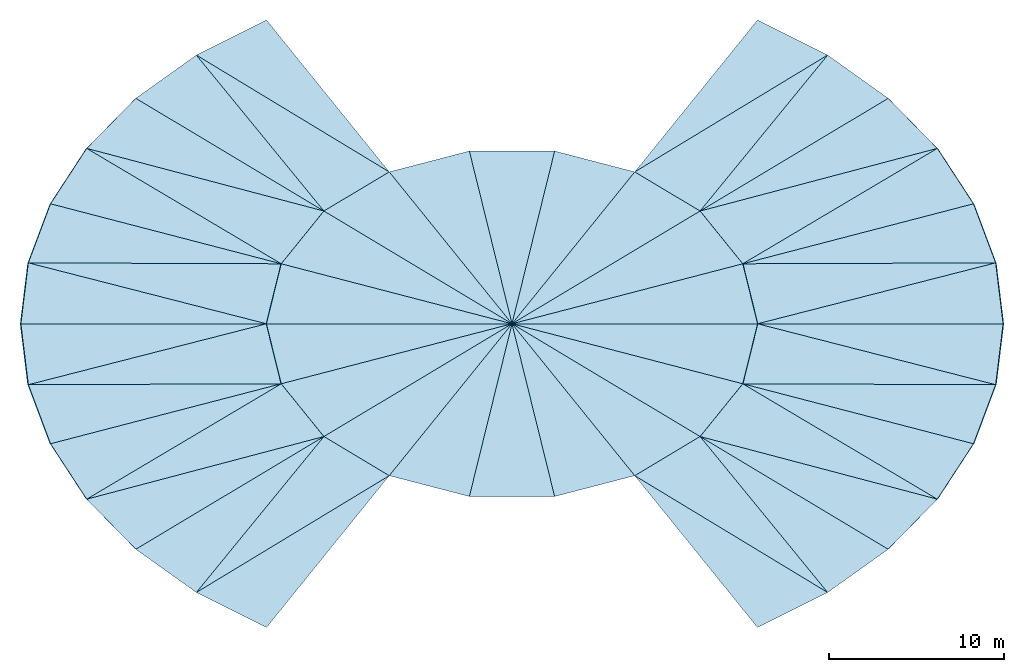
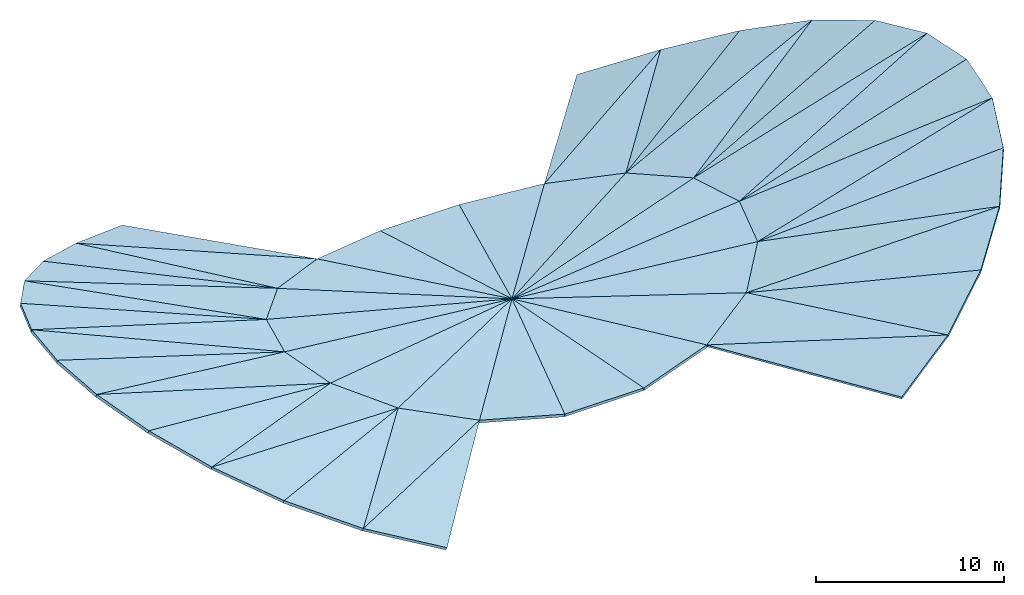
# One storey: 54 slabs.
"""IFC4 building model written with IfcOpenShell, lengths in metres."""

from ifc_helpers import new_model, si_unit, direction, frame, origin, place, context, subcontext, project, spatial, polyline, outline, extrude, material, layer, layer_set, type_object, element, save


model = new_model("IFC4")

# Units and contexts
model_context = context("Model", 3, precision=1e-05, world=origin(), true_north=direction((0.0, 1.0)))
body_context = subcontext(model_context, "Body", "Model", "MODEL_VIEW")
ifc_project = project(units=[si_unit("LENGTHUNIT", "METRE"), si_unit("AREAUNIT", "SQUARE_METRE"), si_unit("VOLUMEUNIT", "CUBIC_METRE"), si_unit("PLANEANGLEUNIT", "RADIAN"), si_unit("MASSUNIT", "GRAM", prefix="KILO")], contexts=[model_context])

# Site, building, storey
site_placement = place(None, origin())
site = spatial("IfcSite", under=ifc_project, at=site_placement, CompositionType="ELEMENT")
building_placement = place(site_placement, origin())
building = spatial("IfcBuilding", under=site, at=building_placement, Name="Tarnveldt Headland Concert Hall", CompositionType="ELEMENT")
storey_placement = place(building_placement, frame((0.0, 0.0, 29.0)))
storey = spatial("IfcBuildingStorey", under=building, at=storey_placement, Name="ROOF", CompositionType="ELEMENT", Elevation=29.0)

# Slabs
ifc_material = material(Name="Concrete C40/50", Category="concrete")
ifc_layer_1 = layer(ifc_material, 0.1650390625, Name="Concrete C40/50", Category="concrete")
ifc_layer_set_1 = layer_set([ifc_layer_1], Name="Concrete C40/50")
slab_type_1 = type_object("IfcSlabType", Name="SL-RF165", PredefinedType="ROOF", material=ifc_layer_set_1)
slab_1_placement = place(storey_placement, frame((97.5, 54.5, 2.25), z_axis=(-0.296528164544, 0.036611321852, 0.954322093816), x_axis=(0.954962318865, 0.0, 0.296727096079)))
element("IfcSlab", 1, at=slab_1_placement, inside=storey, type_object=slab_type_1, Name="Symphony saddle roof outer facet 1", PredefinedType="ROOF", context=body_context, shape_type="SweptSolid", body=[
    extrude(outline(polyline([(0.0, 0.0), (14.660264309312836, 0.0), (14.175379857920978, 3.475230251622545), (0.0, 0.0)])), origin(), (0.0, 0.0, -1.0), 0.1650390625),
])
slab_2_placement = place(storey_placement, frame((96.65576171875, 57.920166015625, 1.99267578125), z_axis=(-0.287011416901, 0.108301590104, 0.951785276283), x_axis=(0.957520925799, 0.003501939045, 0.288342527351)))
element("IfcSlab", 2, at=slab_2_placement, inside=storey, type_object=slab_type_1, Name="Symphony saddle roof outer facet 3", PredefinedType="ROOF", context=body_context, shape_type="SweptSolid", body=[
    extrude(outline(polyline([(0.0, 0.0), (15.058621617549933, 0.0), (13.64031579323876, 3.392373037770957), (0.0, 0.0)])), origin(), (0.0, 0.0, -1.0), 0.1650390625),
])
slab_3_placement = place(storey_placement, frame((96.65576171875, 57.920166015625, 1.99267578125), z_axis=(-0.227335045407, 0.027135138248, 0.973438473352), x_axis=(0.845480827313, 0.501497761228, 0.183472521454)))
element("IfcSlab", 3, at=slab_3_placement, inside=storey, type_object=slab_type_1, Name="Symphony saddle roof outer facet 5", PredefinedType="ROOF", context=body_context, shape_type="SweptSolid", body=[
    extrude(outline(polyline([(0.0, 0.0), (13.120365618904529, -1.6653345369377348e-16), (-0.6666342333537273, 3.8649235277737493), (0.0, 0.0)])), origin(), (0.0, 0.0, -1.0), 0.1650390625),
])
slab_4_placement = place(storey_placement, frame((94.224609375, 60.927978515625, 1.341064453125), z_axis=(-0.267446280978, 0.208698066509, 0.94070059202), x_axis=(0.850604328501, 0.50980492535, 0.128729229099)))
element("IfcSlab", 4, at=slab_4_placement, inside=storey, type_object=slab_type_1, Name="Symphony saddle roof outer facet 7", PredefinedType="ROOF", context=body_context, shape_type="SweptSolid", body=[
    extrude(outline(polyline([(0.0, 0.0), (12.60822337208307, 1.1102230246251565e-16), (10.732647517258135, 4.099326483600311), (0.0, 0.0)])), origin(), (0.0, 0.0, -1.0), 0.1650390625),
])
slab_5_placement = place(storey_placement, frame((90.5, 63.160400390625, 0.60009765625), z_axis=(-0.218462079595, 0.242089244712, 0.945339683592), x_axis=(0.853570897735, 0.516921232044, 0.064878057935)))
element("IfcSlab", 5, at=slab_5_placement, inside=storey, type_object=slab_type_1, Name="Symphony saddle roof outer facet 9", PredefinedType="ROOF", context=body_context, shape_type="SweptSolid", body=[
    extrude(outline(polyline([(0.0, 0.0), (12.884749121812238, -1.2212453270876722e-15), (10.412681752082252, 3.9918018740042873), (0.0, 0.0)])), origin(), (0.0, 0.0, -1.0), 0.1650390625),
])
slab_6_placement = place(storey_placement, frame((76.5, 63.160400390625, 0.60009765625), z_axis=(0.218462079595, 0.242089244712, 0.945339683592), x_axis=(-0.627712007216, 0.776583437499, -0.053812643476)))
element("IfcSlab", 6, at=slab_6_placement, inside=storey, type_object=slab_type_1, Name="Symphony saddle roof outer facet 19", PredefinedType="ROOF", context=body_context, shape_type="SweptSolid", body=[
    extrude(outline(polyline([(0.0, 0.0), (11.151610801648827, 1.609823385706477e-15), (12.030978703185646, 4.612191602214138), (0.0, 0.0)])), origin(), (0.0, 0.0, -1.0), 0.1650390625),
])
slab_7_placement = place(storey_placement, frame((72.775390625, 60.927978515625, 1.341064453125), z_axis=(0.267446280978, 0.208698066509, 0.94070059202), x_axis=(-0.63308538338, 0.774037831956, 0.008266320292)))
element("IfcSlab", 7, at=slab_7_placement, inside=storey, type_object=slab_type_1, Name="Symphony saddle roof outer facet 21", PredefinedType="ROOF", context=body_context, shape_type="SweptSolid", body=[
    extrude(outline(polyline([(0.0, 0.0), (11.488872892884403, 5.967448757360216e-16), (11.778319643107297, 4.49872014967975), (0.0, 0.0)])), origin(), (0.0, 0.0, -1.0), 0.1650390625),
])
slab_8_placement = place(storey_placement, frame((72.775390625, 60.927978515625, 1.341064453125), z_axis=(0.227335045407, 0.027135138248, 0.973438473352), x_axis=(-0.94452523295, 0.24946924241, 0.213628606258)))
element("IfcSlab", 8, at=slab_8_placement, inside=storey, type_object=slab_type_1, Name="Symphony saddle roof outer facet 23", PredefinedType="ROOF", context=body_context, shape_type="SweptSolid", body=[
    extrude(outline(polyline([(0.0, 0.0), (14.318484514839838, 2.7755575615628914e-16), (1.6851308479811633, 3.5415207329338734), (0.0, 0.0)])), origin(), (0.0, 0.0, -1.0), 0.1650390625),
])
slab_9_placement = place(storey_placement, frame((70.34423828125, 57.920166015625, 1.99267578125), z_axis=(0.287011416901, 0.108301590104, 0.951785276283), x_axis=(-0.93594727746, 0.243327185858, 0.254547784192)))
element("IfcSlab", 9, at=slab_9_placement, inside=storey, type_object=slab_type_1, Name="Symphony saddle roof outer facet 25", PredefinedType="ROOF", context=body_context, shape_type="SweptSolid", body=[
    extrude(outline(polyline([(0.0, 0.0), (14.05583187743344, -6.661338147750939e-16), (14.613461235549385, 3.6343961998711074), (0.0, 0.0)])), origin(), (0.0, 0.0, -1.0), 0.1650390625),
])
slab_10_placement = place(storey_placement, frame((69.5, 54.5, 2.25), z_axis=(0.296528164544, 0.036611321852, 0.954322093816), x_axis=(-0.93008294894, 0.237948813868, 0.27986795113)))
element("IfcSlab", 10, at=slab_10_placement, inside=storey, type_object=slab_type_1, Name="Symphony saddle roof outer facet 27", PredefinedType="ROOF", context=body_context, shape_type="SweptSolid", body=[
    extrude(outline(polyline([(0.0, 0.0), (14.595157396141511, 1.6653345369377348e-16), (14.238614203432332, 3.4907327575634928), (0.0, 0.0)])), origin(), (0.0, 0.0, -1.0), 0.1650390625),
])
slab_11_placement = place(storey_placement, frame((69.5, 54.5, 2.25), z_axis=(0.288347090282, -0.00086570822, 0.957525564189), x_axis=(-0.93008294894, -0.237948813868, 0.27986795113)))
element("IfcSlab", 11, at=slab_11_placement, inside=storey, type_object=slab_type_1, Name="Symphony saddle roof outer facet 29", PredefinedType="ROOF", context=body_context, shape_type="SweptSolid", body=[
    extrude(outline(polyline([(0.0, 0.0), (14.595157396141511, -4.996003610813204e-16), (-0.043403985462103556, 3.5319407834171637), (0.0, 0.0)])), origin(), (0.0, 0.0, -1.0), 0.1650390625),
])
slab_12_placement = place(storey_placement, frame((70.34423828125, 51.079833984375, 1.99267578125), z_axis=(0.296672556657, -0.155444795433, 0.942243232769), x_axis=(-0.93594727746, -0.243327185858, 0.254547784192)))
element("IfcSlab", 12, at=slab_12_placement, inside=storey, type_object=slab_type_1, Name="Symphony saddle roof outer facet 31", PredefinedType="ROOF", context=body_context, shape_type="SweptSolid", body=[
    extrude(outline(polyline([(0.0, 0.0), (14.05583187743344, 2.220446049250313e-16), (12.59628627542775, 3.6711804697130463), (0.0, 0.0)])), origin(), (0.0, 0.0, -1.0), 0.1650390625),
])
slab_13_placement = place(storey_placement, frame((72.775390625, 48.072021484375, 1.341064453125), z_axis=(0.268101172829, -0.209905692839, 0.94024537289), x_axis=(-0.94452523295, -0.24946924241, 0.213628606258)))
element("IfcSlab", 13, at=slab_13_placement, inside=storey, type_object=slab_type_1, Name="Symphony saddle roof outer facet 33", PredefinedType="ROOF", context=body_context, shape_type="SweptSolid", body=[
    extrude(outline(polyline([(0.0, 0.0), (14.318484514839838, -1.1102230246251565e-16), (12.079915434963516, 3.611501029277438), (0.0, 0.0)])), origin(), (0.0, 0.0, -1.0), 0.1650390625),
])
slab_14_placement = place(storey_placement, frame((72.775390625, 48.072021484375, 1.341064453125), z_axis=(0.135809097304, -0.100552334273, 0.985619154218), x_axis=(-0.63308538338, -0.774037831956, 0.008266320292)))
element("IfcSlab", 14, at=slab_14_placement, inside=storey, type_object=slab_type_1, Name="Symphony saddle roof outer facet 35", PredefinedType="ROOF", context=body_context, shape_type="SweptSolid", body=[
    extrude(outline(polyline([(0.0, 0.0), (11.488872892884403, -6.904199434387692e-16), (-0.6361418348466782, 4.358988160610845), (0.0, 0.0)])), origin(), (0.0, 0.0, -1.0), 0.1650390625),
])
slab_15_placement = place(storey_placement, frame((90.5, 45.839599609375, 0.60009765625), z_axis=(-0.135809097304, -0.100552334273, 0.985619154218), x_axis=(0.853570897735, -0.516921232044, 0.064878057935)))
element("IfcSlab", 15, at=slab_15_placement, inside=storey, type_object=slab_type_1, Name="Symphony saddle roof outer facet 47", PredefinedType="ROOF", context=body_context, shape_type="SweptSolid", body=[
    extrude(outline(polyline([(0.0, 0.0), (12.884749121812238, 1.5265566588595902e-15), (2.0733043886406723, 3.886754832817596), (0.0, 0.0)])), origin(), (0.0, 0.0, -1.0), 0.1650390625),
])
slab_16_placement = place(storey_placement, frame((94.224609375, 48.072021484375, 1.341064453125), z_axis=(-0.268101172829, -0.209905692839, 0.94024537289), x_axis=(0.850604328501, -0.50980492535, 0.128729229099)))
element("IfcSlab", 16, at=slab_16_placement, inside=storey, type_object=slab_type_1, Name="Symphony saddle roof outer facet 49", PredefinedType="ROOF", context=body_context, shape_type="SweptSolid", body=[
    extrude(outline(polyline([(0.0, 0.0), (12.60822337208307, -7.771561172376096e-16), (13.71851346471848, 4.101388438083616), (0.0, 0.0)])), origin(), (0.0, 0.0, -1.0), 0.1650390625),
])
slab_17_placement = place(storey_placement, frame((96.65576171875, 51.079833984375, 1.99267578125), z_axis=(-0.296672556657, -0.155444795433, 0.942243232769), x_axis=(0.845480827313, -0.501497761228, 0.183472521454)))
element("IfcSlab", 17, at=slab_17_placement, inside=storey, type_object=slab_type_1, Name="Symphony saddle roof outer facet 51", PredefinedType="ROOF", context=body_context, shape_type="SweptSolid", body=[
    extrude(outline(polyline([(0.0, 0.0), (13.120365618904529, -4.440892098500626e-16), (13.494386308284708, 3.9329312134147756), (0.0, 0.0)])), origin(), (0.0, 0.0, -1.0), 0.1650390625),
])
slab_18_placement = place(storey_placement, frame((96.65576171875, 51.079833984375, 1.99267578125), z_axis=(-0.288347090282, -0.00086570822, 0.957525564189), x_axis=(0.957520925799, -0.003501939045, 0.288342527351)))
element("IfcSlab", 18, at=slab_18_placement, inside=storey, type_object=slab_type_1, Name="Symphony saddle roof outer facet 53", PredefinedType="ROOF", context=body_context, shape_type="SweptSolid", body=[
    extrude(outline(polyline([(0.0, 0.0), (15.058621617549933, -1.734723475976807e-18), (0.8705961233317516, 3.4232370635933425), (0.0, 0.0)])), origin(), (0.0, 0.0, -1.0), 0.1650390625),
])
ifc_layer_2 = layer(ifc_material, 0.175048828125, Name="Concrete C40/50", Category="concrete")
ifc_layer_set_2 = layer_set([ifc_layer_2], Name="Concrete C40/50")
slab_type_2 = type_object("IfcSlabType", Name="SL-RF175", PredefinedType="ROOF", material=ifc_layer_set_2)
slab_19_placement = place(storey_placement, frame((83.5, 54.5, 0.800048828125), z_axis=(-0.119742566235, 0.116801788589, 0.985910269758), x_axis=(0.964124686773, 0.250648085532, 0.087402091357)))
element("IfcSlab", 19, at=slab_19_placement, inside=storey, type_object=slab_type_2, Name="Symphony saddle roof inner facet 2", PredefinedType="ROOF", context=body_context, shape_type="SweptSolid", body=[
    extrude(outline(polyline([(0.0, 0.0), (13.645290800282872, -2.7755575615628914e-17), (11.998307060302697, 3.559421250267958), (0.0, 0.0)])), origin(), (0.0, 0.0, -1.0), 0.175048828125),
])
slab_20_placement = place(storey_placement, frame((83.5, 54.5, 0.800048828125), z_axis=(-0.081952429878, 0.089158300838, 0.992640215097), x_axis=(0.6285108188, 0.777593620092, -0.017953067822)))
element("IfcSlab", 20, at=slab_20_placement, inside=storey, type_object=slab_type_2, Name="Symphony saddle roof inner facet 4", PredefinedType="ROOF", context=body_context, shape_type="SweptSolid", body=[
    extrude(outline(polyline([(0.0, 0.0), (11.137437559738409, 1.7520707107365752e-15), (9.198136895469887, 4.3310927419948495), (0.0, 0.0)])), origin(), (0.0, 0.0, -1.0), 0.175048828125),
])
slab_21_placement = place(storey_placement, frame((83.5, 54.5, 0.800048828125), z_axis=(0.081952429878, 0.089158300838, 0.992640215097), x_axis=(-0.239126296751, 0.968656011081, -0.067261775176)))
element("IfcSlab", 21, at=slab_21_placement, inside=storey, type_object=slab_type_2, Name="Symphony saddle roof inner facet 6", PredefinedType="ROOF", context=body_context, shape_type="SweptSolid", body=[
    extrude(outline(polyline([(0.0, 0.0), (10.166813005439062, 5.551115123125783e-17), (10.076282044768252, 4.74458170457131), (0.0, 0.0)])), origin(), (0.0, 0.0, -1.0), 0.175048828125),
])
slab_22_placement = place(storey_placement, frame((83.5, 54.5, 0.800048828125), z_axis=(0.119742566235, 0.116801788589, 0.985910269758), x_axis=(-0.856930499637, 0.513615988093, 0.04322887423)))
element("IfcSlab", 22, at=slab_22_placement, inside=storey, type_object=slab_type_2, Name="Symphony saddle roof inner facet 8", PredefinedType="ROOF", context=body_context, shape_type="SweptSolid", body=[
    extrude(outline(polyline([(0.0, 0.0), (12.515144903282927, -2.220446049250313e-16), (13.081781330871436, 3.8808450414243443), (0.0, 0.0)])), origin(), (0.0, 0.0, -1.0), 0.175048828125),
])
slab_23_placement = place(storey_placement, frame((83.5, 54.5, 0.800048828125), z_axis=(0.1028914071, -0.049348026391, 0.993467730043), x_axis=(-0.994679603956, 0.0, 0.103016918385)))
element("IfcSlab", 23, at=slab_23_placement, inside=storey, type_object=slab_type_2, Name="Symphony saddle roof inner facet 10", PredefinedType="ROOF", context=body_context, shape_type="SweptSolid", body=[
    extrude(outline(polyline([(0.0, 0.0), (14.07488395692205, 0.0), (13.20862860964211, 3.4243380786406514), (0.0, 0.0)])), origin(), (0.0, 0.0, -1.0), 0.175048828125),
])
slab_24_placement = place(storey_placement, frame((83.5, 54.5, 0.800048828125), z_axis=(0.122809400349, -0.122003391632, 0.984902545238), x_axis=(-0.856930499637, -0.513615988093, 0.04322887423)))
element("IfcSlab", 24, at=slab_24_placement, inside=storey, type_object=slab_type_2, Name="Symphony saddle roof inner facet 12", PredefinedType="ROOF", context=body_context, shape_type="SweptSolid", body=[
    extrude(outline(polyline([(0.0, 0.0), (12.515144903282927, 2.636779683484747e-16), (10.437989937308618, 3.8846983751271953), (0.0, 0.0)])), origin(), (0.0, 0.0, -1.0), 0.175048828125),
])
slab_25_placement = place(storey_placement, frame((83.5, 54.5, 0.800048828125), z_axis=(0.0, -0.069271445608, 0.997597848245), x_axis=(-0.239126296751, -0.968656011081, -0.067261775176)))
element("IfcSlab", 25, at=slab_25_placement, inside=storey, type_object=slab_type_2, Name="Symphony saddle roof inner facet 14", PredefinedType="ROOF", context=body_context, shape_type="SweptSolid", body=[
    extrude(outline(polyline([(0.0, 0.0), (10.166813005439062, -1.249000902703301e-16), (9.00410809184242, 4.721241802532751), (0.0, 0.0)])), origin(), (0.0, 0.0, -1.0), 0.175048828125),
])
slab_26_placement = place(storey_placement, frame((83.5, 54.5, 0.800048828125), z_axis=(-0.122809400349, -0.122003391632, 0.984902545238), x_axis=(0.6285108188, -0.777593620092, -0.017953067822)))
element("IfcSlab", 26, at=slab_26_placement, inside=storey, type_object=slab_type_2, Name="Symphony saddle roof inner facet 16", PredefinedType="ROOF", context=body_context, shape_type="SweptSolid", body=[
    extrude(outline(polyline([(0.0, 0.0), (11.137437559738409, -1.2212453270876722e-15), (11.72917521321616, 4.365237767618647), (0.0, 0.0)])), origin(), (0.0, 0.0, -1.0), 0.175048828125),
])
slab_27_placement = place(storey_placement, frame((83.5, 54.5, 0.800048828125), z_axis=(-0.1028914071, -0.049348026391, 0.993467730043), x_axis=(0.964124686773, -0.250648085532, 0.087402091357)))
element("IfcSlab", 27, at=slab_27_placement, inside=storey, type_object=slab_type_2, Name="Symphony saddle roof inner facet 18", PredefinedType="ROOF", context=body_context, shape_type="SweptSolid", body=[
    extrude(outline(polyline([(0.0, 0.0), (13.645290800282872, 8.604228440844963e-16), (13.624474379610827, 3.5321461295011347), (0.0, 0.0)])), origin(), (0.0, 0.0, -1.0), 0.175048828125),
])
slab_28_placement = place(storey_placement, frame((97.5, 54.5, 2.25), z_axis=(-0.288347090282, 0.00086570822, 0.957525564189), x_axis=(0.93008294894, 0.237948813868, 0.27986795113)))
element("IfcSlab", 28, at=slab_28_placement, inside=storey, type_object=slab_type_2, Name="Symphony saddle roof outer facet 2", PredefinedType="ROOF", context=body_context, shape_type="SweptSolid", body=[
    extrude(outline(polyline([(0.0, 0.0), (14.595157396141511, -4.996003610813204e-16), (-0.043403985462103556, 3.5319407834171637), (0.0, 0.0)])), origin(), (0.0, 0.0, -1.0), 0.175048828125),
])
slab_29_placement = place(storey_placement, frame((96.65576171875, 57.920166015625, 1.99267578125), z_axis=(-0.296672556657, 0.155444795433, 0.942243232769), x_axis=(0.93594727746, 0.243327185858, 0.254547784192)))
element("IfcSlab", 29, at=slab_29_placement, inside=storey, type_object=slab_type_2, Name="Symphony saddle roof outer facet 4", PredefinedType="ROOF", context=body_context, shape_type="SweptSolid", body=[
    extrude(outline(polyline([(0.0, 0.0), (14.05583187743344, 2.220446049250313e-16), (12.59628627542775, 3.6711804697130463), (0.0, 0.0)])), origin(), (0.0, 0.0, -1.0), 0.175048828125),
])
slab_30_placement = place(storey_placement, frame((94.224609375, 60.927978515625, 1.341064453125), z_axis=(-0.268101172829, 0.209905692839, 0.94024537289), x_axis=(0.94452523295, 0.24946924241, 0.213628606258)))
element("IfcSlab", 30, at=slab_30_placement, inside=storey, type_object=slab_type_2, Name="Symphony saddle roof outer facet 6", PredefinedType="ROOF", context=body_context, shape_type="SweptSolid", body=[
    extrude(outline(polyline([(0.0, 0.0), (14.318484514839838, -1.1102230246251565e-16), (12.079915434963516, 3.611501029277438), (0.0, 0.0)])), origin(), (0.0, 0.0, -1.0), 0.175048828125),
])
slab_31_placement = place(storey_placement, frame((94.224609375, 60.927978515625, 1.341064453125), z_axis=(-0.135809097304, 0.100552334273, 0.985619154218), x_axis=(0.63308538338, 0.774037831956, 0.008266320292)))
element("IfcSlab", 31, at=slab_31_placement, inside=storey, type_object=slab_type_2, Name="Symphony saddle roof outer facet 8", PredefinedType="ROOF", context=body_context, shape_type="SweptSolid", body=[
    extrude(outline(polyline([(0.0, 0.0), (11.488872892884403, -6.904199434387692e-16), (-0.6361418348466782, 4.358988160610845), (0.0, 0.0)])), origin(), (0.0, 0.0, -1.0), 0.175048828125),
])
slab_32_placement = place(storey_placement, frame((76.5, 63.160400390625, 0.60009765625), z_axis=(0.135809097304, 0.100552334273, 0.985619154218), x_axis=(-0.853570897735, 0.516921232044, 0.064878057935)))
element("IfcSlab", 32, at=slab_32_placement, inside=storey, type_object=slab_type_2, Name="Symphony saddle roof outer facet 20", PredefinedType="ROOF", context=body_context, shape_type="SweptSolid", body=[
    extrude(outline(polyline([(0.0, 0.0), (12.884749121812238, 1.5265566588595902e-15), (2.0733043886406723, 3.886754832817596), (0.0, 0.0)])), origin(), (0.0, 0.0, -1.0), 0.175048828125),
])
slab_33_placement = place(storey_placement, frame((72.775390625, 60.927978515625, 1.341064453125), z_axis=(0.268101172829, 0.209905692839, 0.94024537289), x_axis=(-0.850604328501, 0.50980492535, 0.128729229099)))
element("IfcSlab", 33, at=slab_33_placement, inside=storey, type_object=slab_type_2, Name="Symphony saddle roof outer facet 22", PredefinedType="ROOF", context=body_context, shape_type="SweptSolid", body=[
    extrude(outline(polyline([(0.0, 0.0), (12.60822337208307, -7.771561172376096e-16), (13.71851346471848, 4.101388438083616), (0.0, 0.0)])), origin(), (0.0, 0.0, -1.0), 0.175048828125),
])
slab_34_placement = place(storey_placement, frame((70.34423828125, 57.920166015625, 1.99267578125), z_axis=(0.296672556657, 0.155444795433, 0.942243232769), x_axis=(-0.845480827313, 0.501497761228, 0.183472521454)))
element("IfcSlab", 34, at=slab_34_placement, inside=storey, type_object=slab_type_2, Name="Symphony saddle roof outer facet 24", PredefinedType="ROOF", context=body_context, shape_type="SweptSolid", body=[
    extrude(outline(polyline([(0.0, 0.0), (13.120365618904529, -4.440892098500626e-16), (13.494386308284708, 3.9329312134147756), (0.0, 0.0)])), origin(), (0.0, 0.0, -1.0), 0.175048828125),
])
slab_35_placement = place(storey_placement, frame((70.34423828125, 57.920166015625, 1.99267578125), z_axis=(0.288347090282, 0.00086570822, 0.957525564189), x_axis=(-0.957520925799, 0.003501939045, 0.288342527351)))
element("IfcSlab", 35, at=slab_35_placement, inside=storey, type_object=slab_type_2, Name="Symphony saddle roof outer facet 26", PredefinedType="ROOF", context=body_context, shape_type="SweptSolid", body=[
    extrude(outline(polyline([(0.0, 0.0), (15.058621617549933, -1.734723475976807e-18), (0.8705961233317516, 3.4232370635933425), (0.0, 0.0)])), origin(), (0.0, 0.0, -1.0), 0.175048828125),
])
slab_36_placement = place(storey_placement, frame((69.5, 54.5, 2.25), z_axis=(0.296528164544, -0.036611321852, 0.954322093816), x_axis=(-0.954962318865, 0.0, 0.296727096079)))
element("IfcSlab", 36, at=slab_36_placement, inside=storey, type_object=slab_type_2, Name="Symphony saddle roof outer facet 28", PredefinedType="ROOF", context=body_context, shape_type="SweptSolid", body=[
    extrude(outline(polyline([(0.0, 0.0), (14.660264309312836, 0.0), (14.175379857920978, 3.475230251622545), (0.0, 0.0)])), origin(), (0.0, 0.0, -1.0), 0.175048828125),
])
slab_37_placement = place(storey_placement, frame((70.34423828125, 51.079833984375, 1.99267578125), z_axis=(0.287011416901, -0.108301590104, 0.951785276283), x_axis=(-0.957520925799, -0.003501939045, 0.288342527351)))
element("IfcSlab", 37, at=slab_37_placement, inside=storey, type_object=slab_type_2, Name="Symphony saddle roof outer facet 30", PredefinedType="ROOF", context=body_context, shape_type="SweptSolid", body=[
    extrude(outline(polyline([(0.0, 0.0), (15.058621617549933, 0.0), (13.64031579323876, 3.392373037770957), (0.0, 0.0)])), origin(), (0.0, 0.0, -1.0), 0.175048828125),
])
slab_38_placement = place(storey_placement, frame((70.34423828125, 51.079833984375, 1.99267578125), z_axis=(0.227335045407, -0.027135138248, 0.973438473352), x_axis=(-0.845480827313, -0.501497761228, 0.183472521454)))
element("IfcSlab", 38, at=slab_38_placement, inside=storey, type_object=slab_type_2, Name="Symphony saddle roof outer facet 32", PredefinedType="ROOF", context=body_context, shape_type="SweptSolid", body=[
    extrude(outline(polyline([(0.0, 0.0), (13.120365618904529, -1.6653345369377348e-16), (-0.6666342333537273, 3.8649235277737493), (0.0, 0.0)])), origin(), (0.0, 0.0, -1.0), 0.175048828125),
])
slab_39_placement = place(storey_placement, frame((72.775390625, 48.072021484375, 1.341064453125), z_axis=(0.267446280978, -0.208698066509, 0.94070059202), x_axis=(-0.850604328501, -0.50980492535, 0.128729229099)))
element("IfcSlab", 39, at=slab_39_placement, inside=storey, type_object=slab_type_2, Name="Symphony saddle roof outer facet 34", PredefinedType="ROOF", context=body_context, shape_type="SweptSolid", body=[
    extrude(outline(polyline([(0.0, 0.0), (12.60822337208307, 1.1102230246251565e-16), (10.732647517258135, 4.099326483600311), (0.0, 0.0)])), origin(), (0.0, 0.0, -1.0), 0.175048828125),
])
slab_40_placement = place(storey_placement, frame((76.5, 45.839599609375, 0.60009765625), z_axis=(0.218462079595, -0.242089244712, 0.945339683592), x_axis=(-0.853570897735, -0.516921232044, 0.064878057935)))
element("IfcSlab", 40, at=slab_40_placement, inside=storey, type_object=slab_type_2, Name="Symphony saddle roof outer facet 36", PredefinedType="ROOF", context=body_context, shape_type="SweptSolid", body=[
    extrude(outline(polyline([(0.0, 0.0), (12.884749121812238, -1.2212453270876722e-15), (10.412681752082252, 3.9918018740042873), (0.0, 0.0)])), origin(), (0.0, 0.0, -1.0), 0.175048828125),
])
slab_41_placement = place(storey_placement, frame((90.5, 45.839599609375, 0.60009765625), z_axis=(-0.218462079595, -0.242089244712, 0.945339683592), x_axis=(0.627712007216, -0.776583437499, -0.053812643476)))
element("IfcSlab", 41, at=slab_41_placement, inside=storey, type_object=slab_type_2, Name="Symphony saddle roof outer facet 46", PredefinedType="ROOF", context=body_context, shape_type="SweptSolid", body=[
    extrude(outline(polyline([(0.0, 0.0), (11.151610801648827, 1.609823385706477e-15), (12.030978703185646, 4.612191602214138), (0.0, 0.0)])), origin(), (0.0, 0.0, -1.0), 0.175048828125),
])
slab_42_placement = place(storey_placement, frame((94.224609375, 48.072021484375, 1.341064453125), z_axis=(-0.267446280978, -0.208698066509, 0.94070059202), x_axis=(0.63308538338, -0.774037831956, 0.008266320292)))
element("IfcSlab", 42, at=slab_42_placement, inside=storey, type_object=slab_type_2, Name="Symphony saddle roof outer facet 48", PredefinedType="ROOF", context=body_context, shape_type="SweptSolid", body=[
    extrude(outline(polyline([(0.0, 0.0), (11.488872892884403, 5.967448757360216e-16), (11.778319643107297, 4.49872014967975), (0.0, 0.0)])), origin(), (0.0, 0.0, -1.0), 0.175048828125),
])
slab_43_placement = place(storey_placement, frame((94.224609375, 48.072021484375, 1.341064453125), z_axis=(-0.227335045407, -0.027135138248, 0.973438473352), x_axis=(0.94452523295, -0.24946924241, 0.213628606258)))
element("IfcSlab", 43, at=slab_43_placement, inside=storey, type_object=slab_type_2, Name="Symphony saddle roof outer facet 50", PredefinedType="ROOF", context=body_context, shape_type="SweptSolid", body=[
    extrude(outline(polyline([(0.0, 0.0), (14.318484514839838, 2.7755575615628914e-16), (1.6851308479811633, 3.5415207329338734), (0.0, 0.0)])), origin(), (0.0, 0.0, -1.0), 0.175048828125),
])
slab_44_placement = place(storey_placement, frame((96.65576171875, 51.079833984375, 1.99267578125), z_axis=(-0.287011416901, -0.108301590104, 0.951785276283), x_axis=(0.93594727746, -0.243327185858, 0.254547784192)))
element("IfcSlab", 44, at=slab_44_placement, inside=storey, type_object=slab_type_2, Name="Symphony saddle roof outer facet 52", PredefinedType="ROOF", context=body_context, shape_type="SweptSolid", body=[
    extrude(outline(polyline([(0.0, 0.0), (14.05583187743344, -6.661338147750939e-16), (14.613461235549385, 3.6343961998711074), (0.0, 0.0)])), origin(), (0.0, 0.0, -1.0), 0.175048828125),
])
slab_45_placement = place(storey_placement, frame((97.5, 54.5, 2.25), z_axis=(-0.296528164544, -0.036611321852, 0.954322093816), x_axis=(0.93008294894, -0.237948813868, 0.27986795113)))
element("IfcSlab", 45, at=slab_45_placement, inside=storey, type_object=slab_type_2, Name="Symphony saddle roof outer facet 54", PredefinedType="ROOF", context=body_context, shape_type="SweptSolid", body=[
    extrude(outline(polyline([(0.0, 0.0), (14.595157396141511, 1.6653345369377348e-16), (14.238614203432332, 3.4907327575634928), (0.0, 0.0)])), origin(), (0.0, 0.0, -1.0), 0.175048828125),
])
ifc_layer_3 = layer(ifc_material, 0.18505859375, Name="Concrete C40/50", Category="concrete")
ifc_layer_set_3 = layer_set([ifc_layer_3], Name="Concrete C40/50")
slab_type_3 = type_object("IfcSlabType", Name="SL-RF185", PredefinedType="ROOF", material=ifc_layer_set_3)
slab_46_placement = place(storey_placement, frame((83.5, 54.5, 0.800048828125), z_axis=(-0.1028914071, 0.049348026391, 0.993467730043), x_axis=(0.994679603956, 0.0, 0.103016918385)))
element("IfcSlab", 46, at=slab_46_placement, inside=storey, type_object=slab_type_3, Name="Symphony saddle roof inner facet 1", PredefinedType="ROOF", context=body_context, shape_type="SweptSolid", body=[
    extrude(outline(polyline([(0.0, 0.0), (14.07488395692205, 0.0), (13.20862860964211, 3.4243380786406514), (0.0, 0.0)])), origin(), (0.0, 0.0, -1.0), 0.18505859375),
])
slab_47_placement = place(storey_placement, frame((83.5, 54.5, 0.800048828125), z_axis=(-0.122809400349, 0.122003391632, 0.984902545238), x_axis=(0.856930499637, 0.513615988093, 0.04322887423)))
element("IfcSlab", 47, at=slab_47_placement, inside=storey, type_object=slab_type_3, Name="Symphony saddle roof inner facet 3", PredefinedType="ROOF", context=body_context, shape_type="SweptSolid", body=[
    extrude(outline(polyline([(0.0, 0.0), (12.515144903282927, 2.636779683484747e-16), (10.437989937308618, 3.8846983751271953), (0.0, 0.0)])), origin(), (0.0, 0.0, -1.0), 0.18505859375),
])
slab_48_placement = place(storey_placement, frame((83.5, 54.5, 0.800048828125), z_axis=(0.0, 0.069271445608, 0.997597848245), x_axis=(0.239126296751, 0.968656011081, -0.067261775176)))
element("IfcSlab", 48, at=slab_48_placement, inside=storey, type_object=slab_type_3, Name="Symphony saddle roof inner facet 5", PredefinedType="ROOF", context=body_context, shape_type="SweptSolid", body=[
    extrude(outline(polyline([(0.0, 0.0), (10.166813005439062, -1.249000902703301e-16), (9.00410809184242, 4.721241802532751), (0.0, 0.0)])), origin(), (0.0, 0.0, -1.0), 0.18505859375),
])
slab_49_placement = place(storey_placement, frame((83.5, 54.5, 0.800048828125), z_axis=(0.122809400349, 0.122003391632, 0.984902545238), x_axis=(-0.6285108188, 0.777593620092, -0.017953067822)))
element("IfcSlab", 49, at=slab_49_placement, inside=storey, type_object=slab_type_3, Name="Symphony saddle roof inner facet 7", PredefinedType="ROOF", context=body_context, shape_type="SweptSolid", body=[
    extrude(outline(polyline([(0.0, 0.0), (11.137437559738409, -1.2212453270876722e-15), (11.72917521321616, 4.365237767618647), (0.0, 0.0)])), origin(), (0.0, 0.0, -1.0), 0.18505859375),
])
slab_50_placement = place(storey_placement, frame((83.5, 54.5, 0.800048828125), z_axis=(0.1028914071, 0.049348026391, 0.993467730043), x_axis=(-0.964124686773, 0.250648085532, 0.087402091357)))
element("IfcSlab", 50, at=slab_50_placement, inside=storey, type_object=slab_type_3, Name="Symphony saddle roof inner facet 9", PredefinedType="ROOF", context=body_context, shape_type="SweptSolid", body=[
    extrude(outline(polyline([(0.0, 0.0), (13.645290800282872, 8.604228440844963e-16), (13.624474379610827, 3.5321461295011347), (0.0, 0.0)])), origin(), (0.0, 0.0, -1.0), 0.18505859375),
])
slab_51_placement = place(storey_placement, frame((83.5, 54.5, 0.800048828125), z_axis=(0.119742566235, -0.116801788589, 0.985910269758), x_axis=(-0.964124686773, -0.250648085532, 0.087402091357)))
element("IfcSlab", 51, at=slab_51_placement, inside=storey, type_object=slab_type_3, Name="Symphony saddle roof inner facet 11", PredefinedType="ROOF", context=body_context, shape_type="SweptSolid", body=[
    extrude(outline(polyline([(0.0, 0.0), (13.645290800282872, -2.7755575615628914e-17), (11.998307060302697, 3.559421250267958), (0.0, 0.0)])), origin(), (0.0, 0.0, -1.0), 0.18505859375),
])
slab_52_placement = place(storey_placement, frame((83.5, 54.5, 0.800048828125), z_axis=(0.081952429878, -0.089158300838, 0.992640215097), x_axis=(-0.6285108188, -0.777593620092, -0.017953067822)))
element("IfcSlab", 52, at=slab_52_placement, inside=storey, type_object=slab_type_3, Name="Symphony saddle roof inner facet 13", PredefinedType="ROOF", context=body_context, shape_type="SweptSolid", body=[
    extrude(outline(polyline([(0.0, 0.0), (11.137437559738409, 1.7520707107365752e-15), (9.198136895469887, 4.3310927419948495), (0.0, 0.0)])), origin(), (0.0, 0.0, -1.0), 0.18505859375),
])
slab_53_placement = place(storey_placement, frame((83.5, 54.5, 0.800048828125), z_axis=(-0.081952429878, -0.089158300838, 0.992640215097), x_axis=(0.239126296751, -0.968656011081, -0.067261775176)))
element("IfcSlab", 53, at=slab_53_placement, inside=storey, type_object=slab_type_3, Name="Symphony saddle roof inner facet 15", PredefinedType="ROOF", context=body_context, shape_type="SweptSolid", body=[
    extrude(outline(polyline([(0.0, 0.0), (10.166813005439062, 5.551115123125783e-17), (10.076282044768252, 4.74458170457131), (0.0, 0.0)])), origin(), (0.0, 0.0, -1.0), 0.18505859375),
])
slab_54_placement = place(storey_placement, frame((83.5, 54.5, 0.800048828125), z_axis=(-0.119742566235, -0.116801788589, 0.985910269758), x_axis=(0.856930499637, -0.513615988093, 0.04322887423)))
element("IfcSlab", 54, at=slab_54_placement, inside=storey, type_object=slab_type_3, Name="Symphony saddle roof inner facet 17", PredefinedType="ROOF", context=body_context, shape_type="SweptSolid", body=[
    extrude(outline(polyline([(0.0, 0.0), (12.515144903282927, -2.220446049250313e-16), (13.081781330871436, 3.8808450414243443), (0.0, 0.0)])), origin(), (0.0, 0.0, -1.0), 0.18505859375),
])

save(model, "model.ifc")
